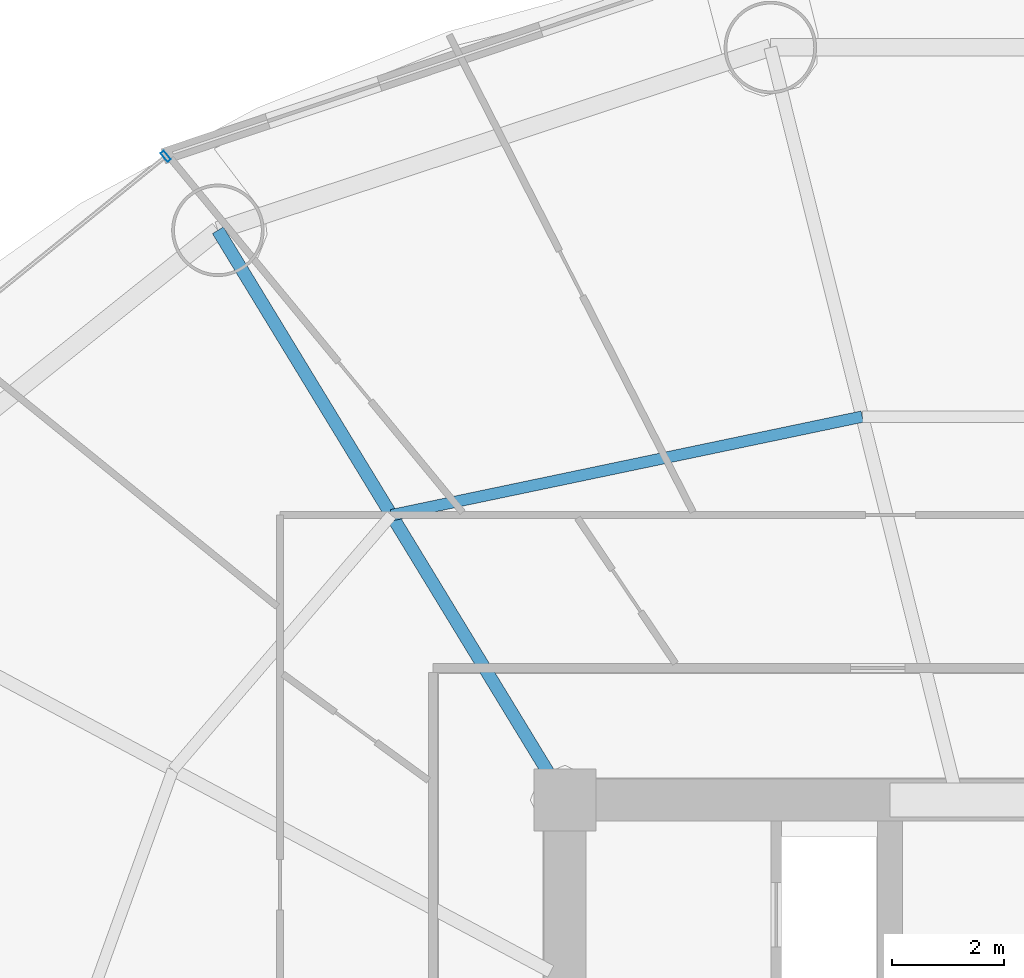
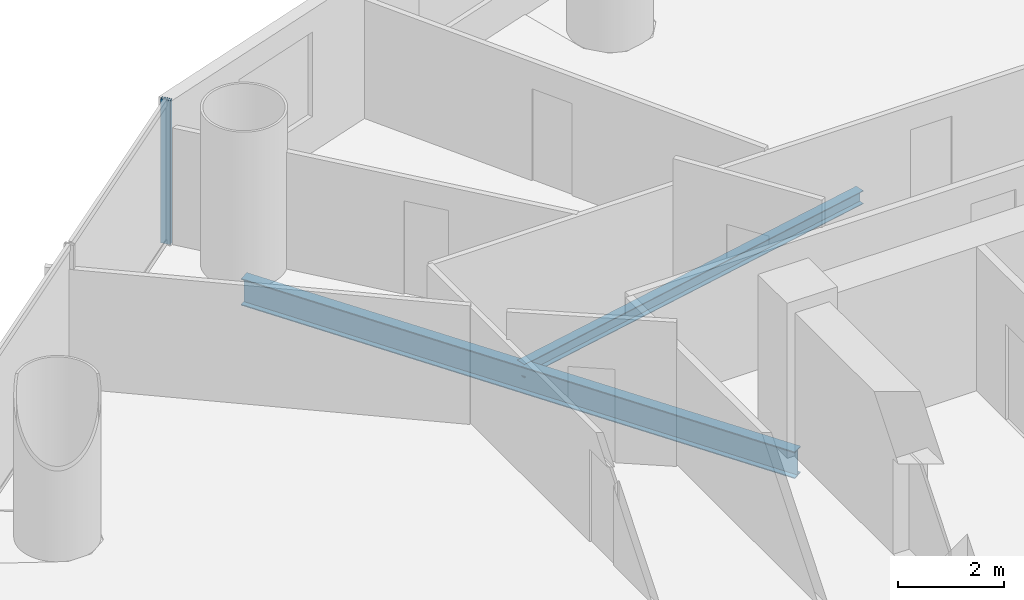
# One storey, part 16 of 30: 2 beams, 1 member, 1 element without a shape of its own.
"""IFC4 building model written with IfcOpenShell, lengths in metres."""

from ifc_helpers import new_model, si_unit, direction, frame, origin, origin_2d, place, context, subcontext, project, spatial, hollow_rectangle, i_section, extrude, source, transform, mapped, material, material_profile, profile_set, type_object, element, aggregate, save


model = new_model("IFC4")

# Units and contexts
model_context = context("Model", 3, precision=1e-05, world=origin(), true_north=direction((-0.2419218956, 0.970295726276)))
body_context = subcontext(model_context, "Body", "Model", "MODEL_VIEW")
ifc_project = project(units=[si_unit("LENGTHUNIT", "METRE"), si_unit("AREAUNIT", "SQUARE_METRE"), si_unit("VOLUMEUNIT", "CUBIC_METRE"), si_unit("PLANEANGLEUNIT", "RADIAN"), si_unit("MASSUNIT", "GRAM", prefix="KILO")], contexts=[model_context])

# Site, building, storey
site_placement = place(None, origin())
site = spatial("IfcSite", under=ifc_project, at=site_placement, CompositionType="ELEMENT")
building_placement = place(site_placement, origin())
building = spatial("IfcBuilding", under=site, at=building_placement, Name="Cobrevalo Terracotta Tower", CompositionType="ELEMENT")
storey_placement = place(building_placement, frame((0.0, 0.0, 27.60009765625)))
storey = spatial("IfcBuildingStorey", under=building, at=storey_placement, Name="L06", CompositionType="ELEMENT", Elevation=27.60009765625)

# Beams
ifc_material_1 = material(Name="Steel S355", Category="steel")
ifc_material_profile_1 = material_profile(ifc_material_1, i_section(OverallWidth=0.22998046875, OverallDepth=0.616943359375, WebThickness=0.01318359375, FlangeThickness=0.022216796875, at=origin_2d()), Name="W 610x140")
ifc_profile_set_1 = profile_set([ifc_material_profile_1], Name="Steel S355")
beam_type_1 = type_object("IfcBeamType", Name="Structural Beam W 610x140 (Steel S355)", PredefinedType="BEAM", material=ifc_profile_set_1)
beam_1_placement = place(storey_placement, frame((22.80517578125, 44.967529296875, -0.588623046875), z_axis=(0.520309892051, -0.853977526773, 0.0), x_axis=(0.853977526773, 0.520309892051, 0.0)))
element("IfcBeam", 1, at=beam_1_placement, inside=storey, type_object=beam_type_1, Name="L06 radial floor girder 06", PredefinedType="BEAM", context=body_context, shape_type="SweptSolid", body=[
    extrude(i_section(OverallWidth=0.22998046875, OverallDepth=0.616943359375, WebThickness=0.01318359375, FlangeThickness=0.022216796875, at=origin_2d()), origin(), (0.0, 0.0, 1.0), 11.906005859375),
])
ifc_material_profile_2 = material_profile(ifc_material_1, i_section(OverallWidth=0.2041015625, OverallDepth=0.305908203125, WebThickness=0.008544921875, FlangeThickness=0.0146484375, at=origin_2d()), Name="W 310x67")
ifc_profile_set_2 = profile_set([ifc_material_profile_2], Name="Steel S355")
beam_type_2 = type_object("IfcBeamType", Name="Structural Joist W 310x67 (Steel S355)", PredefinedType="JOIST", material=ifc_profile_set_2)
beam_2_placement = place(storey_placement, frame((34.304443359375, 41.642578125, -0.43310546875), z_axis=(-0.978784523904, -0.204892302848, 0.0), x_axis=(0.204892302848, -0.978784523904, 0.0)))
element("IfcBeam", 2, at=beam_2_placement, inside=storey, type_object=beam_type_2, Name="L06 circumferential secondary floor joist 05", PredefinedType="JOIST", context=body_context, shape_type="SweptSolid", body=[
    extrude(i_section(OverallWidth=0.2041015625, OverallDepth=0.305908203125, WebThickness=0.008544921875, FlangeThickness=0.0146484375, at=origin_2d()), origin(), (0.0, 0.0, 1.0), 8.583984375),
])

# Curtain wall, member
ifc_material_2 = material(Name="Anodized aluminium", Category="aluminium")
curtain_wall_type = type_object("IfcCurtainWallType", Name="Lower-tower unitised acoustic low-E curtain wall CW-U1", PredefinedType="NOTDEFINED", material=ifc_material_2)
curtain_wall_placement = place(storey_placement, origin())
curtain_wall = element("IfcCurtainWall", 3, at=curtain_wall_placement, inside=storey, type_object=curtain_wall_type, Name="L06 curtain wall CW-L06-S06", PredefinedType="NOTDEFINED")
ifc_material_profile_3 = material_profile(ifc_material_2, hollow_rectangle(XDim=0.074951171875, YDim=0.199951171875, WallThickness=0.0048828125, at=origin_2d()), Name="CWM 75x200")
ifc_profile_set_3 = profile_set([ifc_material_profile_3], Name="Anodized aluminium")
member_type = type_object("IfcMemberType", Name="Lower/mid tower unitised mullion 75x200", PredefinedType="MULLION", material=ifc_profile_set_3)
shared_shape = source(origin(), body_context, "Body", "SweptSolid", [
    extrude(hollow_rectangle(XDim=0.074951171875, YDim=0.199951171875, WallThickness=0.0048828125, at=origin_2d()), origin(), (0.0, 0.0, 1.0), 3.31982421875),
])
member_placement = place(storey_placement, frame((21.8740234375, 46.289306640625, 0.0), z_axis=(0.0, 0.0, 1.0), x_axis=(-0.777003153187, -0.629496703675, 0.0)))
member = element("IfcMember", 4, at=member_placement, type_object=member_type, Name="CW-L06-S06 vertical mullion 01", PredefinedType="MULLION", context=body_context, shape_type="MappedRepresentation", body=[
    mapped(shared_shape, transform((0.0, 0.0, 0.0), scale=1.0)),
])
aggregate(curtain_wall, [member])

save(model, "model.ifc")
